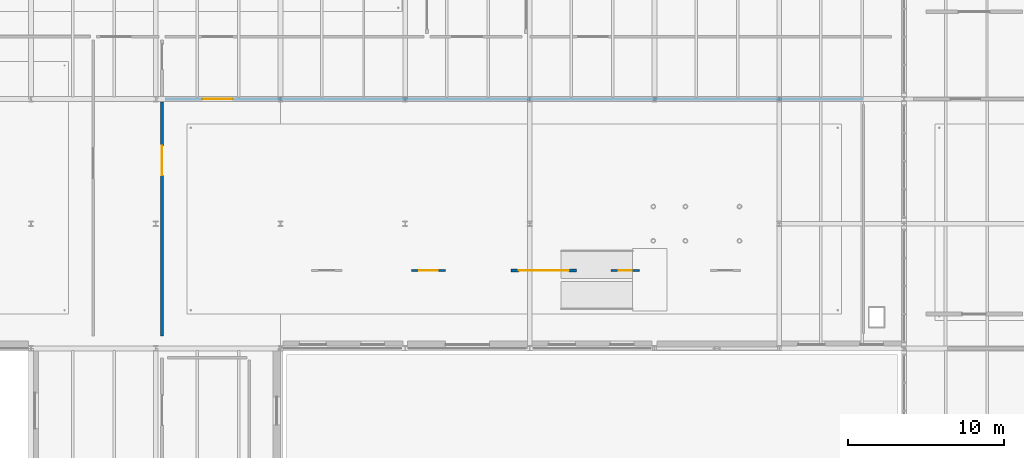
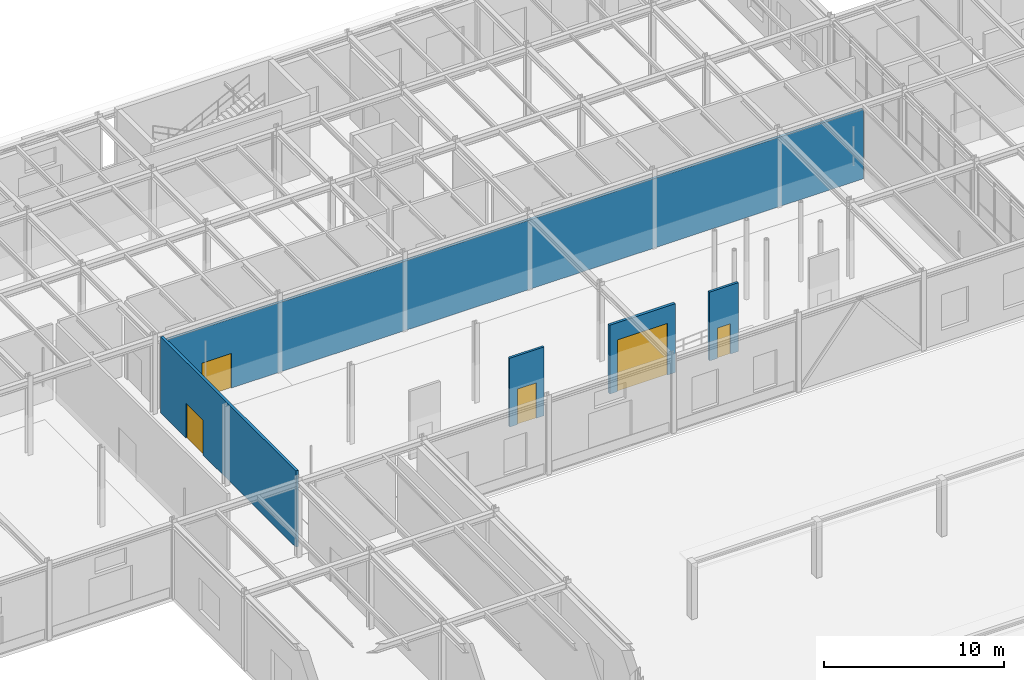
# One storey, part 80 of 129: 5 doors, 5 walls, 5 openings.
"""IFC4 building model written with IfcOpenShell, lengths in metres."""

from ifc_helpers import new_model, si_unit, direction, frame, frame_2d, origin, place, context, subcontext, project, spatial, rectangle, extrude, material, layer, layer_set, type_object, element, fill, save


model = new_model("IFC4")

# Units and contexts
model_context = context("Model", 3, precision=1e-05, world=origin(), true_north=direction((0.0, 1.0)))
body_context = subcontext(model_context, "Body", "Model", "MODEL_VIEW")
ifc_project = project(units=[si_unit("LENGTHUNIT", "METRE"), si_unit("AREAUNIT", "SQUARE_METRE"), si_unit("VOLUMEUNIT", "CUBIC_METRE"), si_unit("PLANEANGLEUNIT", "RADIAN"), si_unit("MASSUNIT", "GRAM", prefix="KILO")], contexts=[model_context])

# Site, building, storey
site_placement = place(None, origin())
site = spatial("IfcSite", under=ifc_project, at=site_placement, CompositionType="ELEMENT")
building_placement = place(site_placement, origin())
building = spatial("IfcBuilding", under=site, at=building_placement, Name="Sundkrona Museum", CompositionType="ELEMENT")
storey_placement = place(building_placement, origin())
storey = spatial("IfcBuildingStorey", under=building, at=storey_placement, Name="L00", CompositionType="ELEMENT", Elevation=0.0)

# Wall, opening, door
ifc_material_1 = material(Name="Acoustic Gypsum Partition Board 150 mm", Category="other")
ifc_layer_1 = layer(ifc_material_1, 0.14990234375)
ifc_layer_set_1 = layer_set([ifc_layer_1], Name="Acoustic Gypsum Partition Board 150 mm")
wall_type_1 = type_object("IfcWallType", Name="W-PT-150", PredefinedType="PARTITIONING", material=ifc_layer_set_1)
wall_1_placement = place(storey_placement, frame((48.39990234375, 83.0, 0.0), z_axis=(0.0, 0.0, 1.0), x_axis=(1.0, 0.0, 0.0)))
wall_1 = element("IfcWall", 1, at=wall_1_placement, inside=storey, type_object=wall_type_1, Name="L00 Gallery Vestibule Screen 02", PredefinedType="PARTITIONING", context=body_context, shape_type="SweptSolid", body=[
    extrude(rectangle(XDim=2.2001953125, YDim=0.14990234375, at=frame_2d((1.10009765625, 0.0))), origin(), (0.0, 0.0, 1.0), 4.659912109375),
])
opening_1_placement = place(wall_1_placement, frame((0.5, 0.0, 0.0)))
opening_1 = element("IfcOpeningElement", 2, at=opening_1_placement, cuts=wall_1, Name="Opening D-RM-120", PredefinedType="OPENING", context=body_context, shape_type="SweptSolid", body=[
    extrude(rectangle(XDim=1.199951171875, YDim=2.39990234375, at=frame_2d((0.60009765625, 1.199951171875))), frame((0.0, 0.0849609375, 0.0), z_axis=(0.0, -1.0, 0.0), x_axis=(1.0, 0.0, 0.0)), (0.0, 0.0, 1.0), 0.169921875),
])
ifc_material_2 = material(Name="European Oak Door Leaf", Category="other")
door_type_1 = type_object("IfcDoorType", Name="D-RM-120", OperationType="NOTDEFINED", PredefinedType="DOOR", material=ifc_material_2)
door_1_placement = place(opening_1_placement, origin())
door_1 = element("IfcDoor", 3, at=door_1_placement, inside=storey, type_object=door_type_1, Name="L00 Vestibule Door D-RM-120 DR-VST-02", OperationType="SINGLE_SWING_LEFT", OverallHeight=2.39990234375, OverallWidth=1.199951171875, PredefinedType="DOOR", context=body_context, shape_type="SweptSolid", body=[
    extrude(rectangle(XDim=1.199951171875, YDim=2.39990234375, at=frame_2d((0.60009765625, 1.199951171875))), frame((0.0, 0.02490234375, 0.0), z_axis=(0.0, -1.0, 0.0), x_axis=(1.0, 0.0, 0.0)), (0.0, 0.0, 1.0), 0.050048828125),
])
fill(opening_1, door_1)

wall_2_placement = place(storey_placement, frame((61.199951171875, 83.0, 0.0), z_axis=(0.0, 0.0, 1.0), x_axis=(1.0, 0.0, 0.0)))
wall_2 = element("IfcWall", 4, at=wall_2_placement, inside=storey, type_object=wall_type_1, Name="L00 Gallery Vestibule Screen 04", PredefinedType="PARTITIONING", context=body_context, shape_type="SweptSolid", body=[
    extrude(rectangle(XDim=1.85009765625, YDim=0.14990234375, at=frame_2d((0.925048828125, 0.0))), origin(), (0.0, 0.0, 1.0), 4.659912109375),
])
opening_2_placement = place(wall_2_placement, frame((0.5, 0.0, 0.0)))
opening_2 = element("IfcOpeningElement", 5, at=opening_2_placement, cuts=wall_2, Name="Opening D-ST-085", PredefinedType="OPENING", context=body_context, shape_type="SweptSolid", body=[
    extrude(rectangle(XDim=0.85009765625, YDim=2.050048828125, at=frame_2d((0.425048828125, 1.02490234375))), frame((0.0, 0.0849609375, 0.0), z_axis=(0.0, -1.0, 0.0), x_axis=(1.0, 0.0, 0.0)), (0.0, 0.0, 1.0), 0.169921875),
])
ifc_material_3 = material(Name="Painted Steel Service Door", Category="steel")
door_type_2 = type_object("IfcDoorType", Name="D-ST-085", OperationType="NOTDEFINED", PredefinedType="DOOR", material=ifc_material_3)
door_2_placement = place(opening_2_placement, origin())
door_2 = element("IfcDoor", 6, at=door_2_placement, inside=storey, type_object=door_type_2, Name="L00 Vestibule Door D-ST-085 DR-VST-04", OperationType="SINGLE_SWING_LEFT", OverallHeight=2.050048828125, OverallWidth=0.85009765625, PredefinedType="DOOR", context=body_context, shape_type="SweptSolid", body=[
    extrude(rectangle(XDim=0.85009765625, YDim=2.050048828125, at=frame_2d((0.425048828125, 1.02490234375))), frame((0.0, 0.02490234375, 0.0), z_axis=(0.0, -1.0, 0.0), x_axis=(1.0, 0.0, 0.0)), (0.0, 0.0, 1.0), 0.050048828125),
])
fill(opening_2, door_2)

ifc_material_4 = material(Name="Fire-rated Gypsum Partition Board 175 mm", Category="other")
ifc_layer_2 = layer(ifc_material_4, 0.175048828125)
ifc_layer_set_2 = layer_set([ifc_layer_2], Name="Fire-rated Gypsum Partition Board 175 mm")
wall_type_2 = type_object("IfcWallType", Name="W-PT-175", PredefinedType="PARTITIONING", material=ifc_layer_set_2)
wall_3_placement = place(storey_placement, frame((32.60009765625, 94.0, 0.0), z_axis=(0.0, 0.0, 1.0), x_axis=(1.0, 0.0, 0.0)))
wall_3 = element("IfcWall", 7, at=wall_3_placement, inside=storey, type_object=wall_type_2, Name="L00 Partition North-West Gallery Corridor / Sculpture Cloister Gallery", PredefinedType="PARTITIONING", context=body_context, shape_type="SweptSolid", body=[
    extrude(rectangle(XDim=44.7998046875, YDim=0.175048828125, at=frame_2d((22.39990234375, 0.0))), origin(), (0.0, 0.0, 1.0), 4.699951171875),
])
opening_3_placement = place(wall_3_placement, frame((2.4150390625, 0.0, 0.0)))
opening_3 = element("IfcOpeningElement", 8, at=opening_3_placement, cuts=wall_3, Name="Opening D-AUD-190", PredefinedType="OPENING", context=body_context, shape_type="SweptSolid", body=[
    extrude(rectangle(XDim=1.89990234375, YDim=2.35009765625, at=frame_2d((0.949951171875, 1.175048828125))), frame((0.0, 0.097412109375, 0.0), z_axis=(0.0, -1.0, 0.0), x_axis=(1.0, 0.0, 0.0)), (0.0, 0.0, 1.0), 0.195068359375),
])
ifc_material_5 = material(Name="Acoustic Oak Fire Door", Category="other")
door_type_3 = type_object("IfcDoorType", Name="D-AUD-190", OperationType="DOUBLE_DOOR_SINGLE_SWING", PredefinedType="DOOR", material=ifc_material_5)
door_3_placement = place(opening_3_placement, origin())
door_3 = element("IfcDoor", 9, at=door_3_placement, inside=storey, type_object=door_type_3, Name="L00 Interior Door DR-ADJ-L00-0056", OperationType="DOUBLE_DOOR_SINGLE_SWING", OverallHeight=2.35009765625, OverallWidth=1.89990234375, PredefinedType="DOOR", context=body_context, shape_type="SweptSolid", body=[
    extrude(rectangle(XDim=1.89990234375, YDim=2.35009765625, at=frame_2d((0.949951171875, 1.175048828125))), frame((0.0, 0.02490234375, 0.0), z_axis=(0.0, -1.0, 0.0), x_axis=(1.0, 0.0, 0.0)), (0.0, 0.0, 1.0), 0.050048828125),
])
fill(opening_3, door_3)

wall_4_placement = place(storey_placement, frame((32.39990234375, 78.800048828125, 0.0), z_axis=(0.0, 0.0, 1.0), x_axis=(0.0, 1.0, 0.0)))
wall_4 = element("IfcWall", 10, at=wall_4_placement, inside=storey, type_object=wall_type_2, Name="L00 Partition West Cloister Corridor / Sculpture Cloister Gallery", PredefinedType="PARTITIONING", context=body_context, shape_type="SweptSolid", body=[
    extrude(rectangle(XDim=15.0, YDim=0.175048828125, at=frame_2d((7.5, 0.0))), origin(), (0.0, 0.0, 1.0), 5.159912109375),
])
opening_4_placement = place(wall_4_placement, frame((10.300048828125, 0.0, 0.0)))
opening_4 = element("IfcOpeningElement", 11, at=opening_4_placement, cuts=wall_4, Name="Opening D-AUD-190", PredefinedType="OPENING", context=body_context, shape_type="SweptSolid", body=[
    extrude(rectangle(XDim=1.89990234375, YDim=2.35009765625, at=frame_2d((0.949951171875, 1.175048828125))), frame((0.0, 0.097412109375, 0.0), z_axis=(0.0, -1.0, 0.0), x_axis=(1.0, 0.0, 0.0)), (0.0, 0.0, 1.0), 0.195068359375),
])
door_4_placement = place(opening_4_placement, origin())
door_4 = element("IfcDoor", 12, at=door_4_placement, inside=storey, type_object=door_type_3, Name="L00 Interior Door DR-ADJ-L00-0065", OperationType="DOUBLE_DOOR_SINGLE_SWING", OverallHeight=2.35009765625, OverallWidth=1.89990234375, PredefinedType="DOOR", context=body_context, shape_type="SweptSolid", body=[
    extrude(rectangle(XDim=1.89990234375, YDim=2.35009765625, at=frame_2d((0.949951171875, 1.175048828125))), frame((0.0, 0.02490234375, 0.0), z_axis=(0.0, -1.0, 0.0), x_axis=(1.0, 0.0, 0.0)), (0.0, 0.0, 1.0), 0.050048828125),
])
fill(opening_4, door_4)

wall_5_placement = place(storey_placement, frame((54.800048828125, 83.0, 0.0), z_axis=(0.0, 0.0, 1.0), x_axis=(1.0, 0.0, 0.0)))
wall_5 = element("IfcWall", 13, at=wall_5_placement, inside=storey, type_object=wall_type_2, Name="L00 Gallery Vestibule Screen 03", PredefinedType="PARTITIONING", context=body_context, shape_type="SweptSolid", body=[
    extrude(rectangle(XDim=4.199951171875, YDim=0.175048828125, at=frame_2d((2.10009765625, 0.0))), origin(), (0.0, 0.0, 1.0), 4.659912109375),
])
opening_5_placement = place(wall_5_placement, frame((0.5, 0.0, 0.0)))
opening_5 = element("IfcOpeningElement", 14, at=opening_5_placement, cuts=wall_5, Name="Opening D-SH-320", PredefinedType="OPENING", context=body_context, shape_type="SweptSolid", body=[
    extrude(rectangle(XDim=3.199951171875, YDim=3.5, at=frame_2d((1.60009765625, 1.75))), frame((0.0, 0.097412109375, 0.0), z_axis=(0.0, -1.0, 0.0), x_axis=(1.0, 0.0, 0.0)), (0.0, 0.0, 1.0), 0.195068359375),
])
ifc_material_6 = material(Name="Insulated Steel Quarantine Shutter", Category="steel")
door_type_4 = type_object("IfcDoorType", Name="D-SH-320", OperationType="ROLLINGUP", PredefinedType="DOOR", material=ifc_material_6)
door_5_placement = place(opening_5_placement, origin())
door_5 = element("IfcDoor", 15, at=door_5_placement, inside=storey, type_object=door_type_4, Name="L00 Vestibule Door D-SH-320 DR-VST-03", OperationType="ROLLINGUP", OverallHeight=3.5, OverallWidth=3.199951171875, PredefinedType="DOOR", context=body_context, shape_type="SweptSolid", body=[
    extrude(rectangle(XDim=3.199951171875, YDim=3.5, at=frame_2d((1.60009765625, 1.75))), frame((0.0, 0.02490234375, 0.0), z_axis=(0.0, -1.0, 0.0), x_axis=(1.0, 0.0, 0.0)), (0.0, 0.0, 1.0), 0.050048828125),
])
fill(opening_5, door_5)

save(model, "model.ifc")
